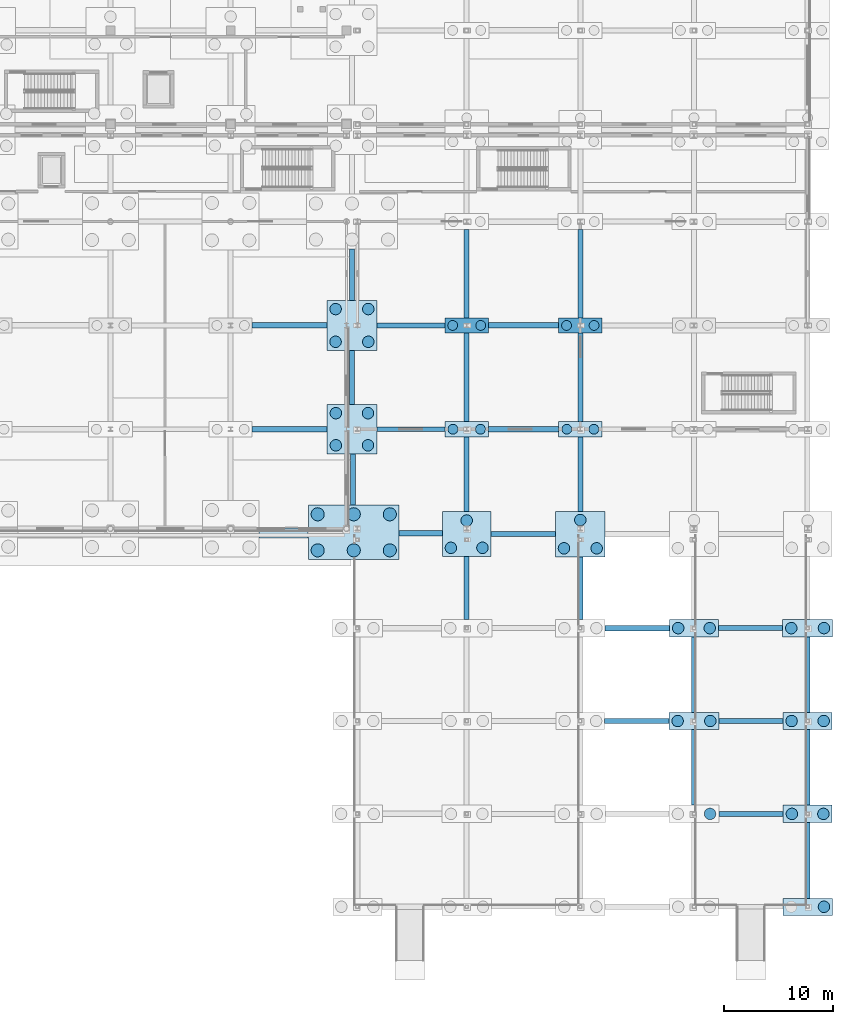
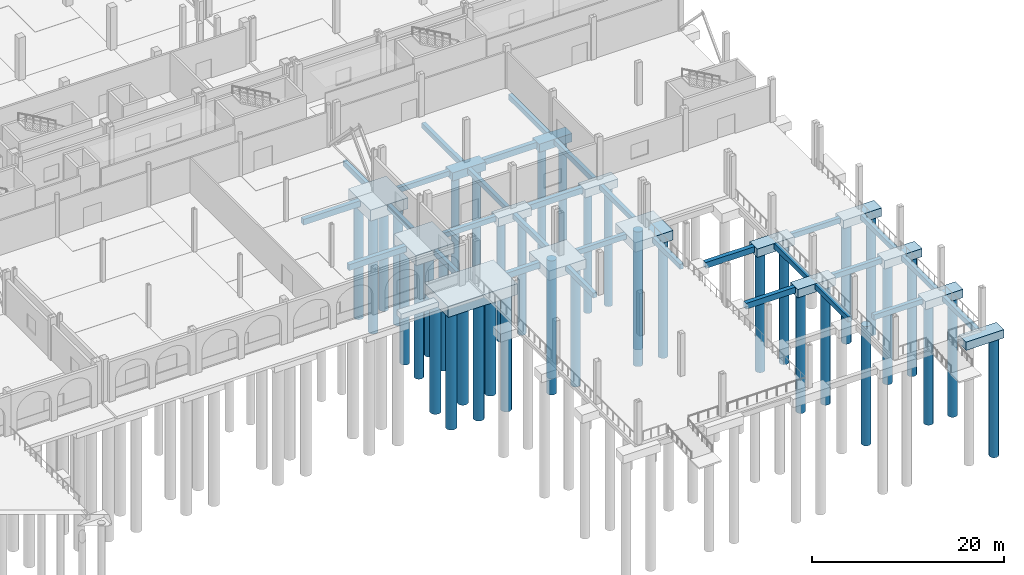
# One storey, part 11 of 83: 45 footings, 40 piles.
"""IFC4 building model written with IfcOpenShell, lengths in metres."""

from ifc_helpers import new_model, si_unit, direction, frame, origin, origin_2d, place, context, subcontext, project, spatial, polyline, circle, outline, extrude, material, material_profile, profile_set, type_object, element, save


model = new_model("IFC4")

# Units and contexts
model_context = context("Model", 3, precision=1e-05, world=origin(), true_north=direction((0.0, 1.0)))
body_context = subcontext(model_context, "Body", "Model", "MODEL_VIEW")
ifc_project = project(units=[si_unit("LENGTHUNIT", "METRE"), si_unit("AREAUNIT", "SQUARE_METRE"), si_unit("VOLUMEUNIT", "CUBIC_METRE"), si_unit("PLANEANGLEUNIT", "RADIAN"), si_unit("MASSUNIT", "GRAM", prefix="KILO")], contexts=[model_context])

# Site, building, storey
site_placement = place(None, origin())
site = spatial("IfcSite", under=ifc_project, at=site_placement, CompositionType="ELEMENT")
building_placement = place(site_placement, origin())
building = spatial("IfcBuilding", under=site, at=building_placement, Name="Caurita Quay Ferry Terminal", CompositionType="ELEMENT")
storey_placement = place(building_placement, origin())
storey = spatial("IfcBuildingStorey", under=building, at=storey_placement, Name="L00", CompositionType="ELEMENT", Elevation=0.0)

# Footings
ifc_material = material(Name="Marine reinforced concrete C40/50", Category="concrete")
footing_type_1 = type_object("IfcFootingType", Name="FTG-BM-01", PredefinedType="FOOTING_BEAM", material=ifc_material)
footing_1_placement = place(storey_placement, frame((0.0, 0.0, -1.14990234375)))
element("IfcFooting", 1, at=footing_1_placement, inside=storey, type_object=footing_type_1, Name="Seismic Tie Footing Beam FB-X-017", PredefinedType="FOOTING_BEAM", context=body_context, shape_type="SweptSolid", body=[
    extrude(outline(polyline([(155.425048828125, 16.75), (161.324951171875, 16.75), (161.324951171875, 17.25), (155.425048828125, 17.25), (155.425048828125, 16.75)])), origin(), (0.0, 0.0, 1.0), 0.75),
])
footing_2_placement = place(storey_placement, frame((0.0, 0.0, -1.14990234375)))
element("IfcFooting", 2, at=footing_2_placement, inside=storey, type_object=footing_type_1, Name="Seismic Tie Footing Beam FB-X-025", PredefinedType="FOOTING_BEAM", context=body_context, shape_type="SweptSolid", body=[
    extrude(outline(polyline([(155.47509765625, 25.25), (161.35009765625, 25.25), (161.35009765625, 25.75), (155.47509765625, 25.75), (155.47509765625, 25.25)])), origin(), (0.0, 0.0, 1.0), 0.75),
])
footing_3_placement = place(storey_placement, frame((0.0, 0.0, -1.14990234375)))
element("IfcFooting", 3, at=footing_3_placement, inside=storey, type_object=footing_type_1, Name="Seismic Tie Footing Beam FB-X-027", PredefinedType="FOOTING_BEAM", context=body_context, shape_type="SweptSolid", body=[
    extrude(outline(polyline([(136.616943359375, 33.93408203125), (140.574951171875, 33.93408203125), (140.574951171875, 34.43408203125), (136.616943359375, 34.43408203125), (136.616943359375, 33.93408203125)])), origin(), (0.0, 0.0, 1.0), 0.75),
])
footing_4_placement = place(storey_placement, frame((0.0, 0.0, -1.14990234375)))
element("IfcFooting", 4, at=footing_4_placement, inside=storey, type_object=footing_type_1, Name="Seismic Tie Footing Beam FB-X-053", PredefinedType="FOOTING_BEAM", context=body_context, shape_type="SweptSolid", body=[
    extrude(outline(polyline([(123.175048828125, 43.449951171875), (130.02490234375, 43.449951171875), (130.02490234375, 43.949951171875), (123.175048828125, 43.949951171875), (123.175048828125, 43.449951171875)])), origin(), (0.0, 0.0, 1.0), 0.75),
])
footing_5_placement = place(storey_placement, frame((0.0, 0.0, -1.14990234375)))
element("IfcFooting", 5, at=footing_5_placement, inside=storey, type_object=footing_type_1, Name="Seismic Tie Footing Beam FB-X-055", PredefinedType="FOOTING_BEAM", context=body_context, shape_type="SweptSolid", body=[
    extrude(outline(polyline([(144.800048828125, 43.449951171875), (151.22509765625, 43.449951171875), (151.22509765625, 43.949951171875), (144.800048828125, 43.949951171875), (144.800048828125, 43.449951171875)])), origin(), (0.0, 0.0, 1.0), 0.75),
])
footing_6_placement = place(storey_placement, frame((0.0, 0.0, -1.14990234375)))
element("IfcFooting", 6, at=footing_6_placement, inside=storey, type_object=footing_type_1, Name="Seismic Tie Footing Beam FB-X-069", PredefinedType="FOOTING_BEAM", context=body_context, shape_type="SweptSolid", body=[
    extrude(outline(polyline([(123.175048828125, 52.949951171875), (130.02490234375, 52.949951171875), (130.02490234375, 53.449951171875), (123.175048828125, 53.449951171875), (123.175048828125, 52.949951171875)])), origin(), (0.0, 0.0, 1.0), 0.75),
])
footing_7_placement = place(storey_placement, frame((0.0, 0.0, -1.14990234375)))
element("IfcFooting", 7, at=footing_7_placement, inside=storey, type_object=footing_type_1, Name="Seismic Tie Footing Beam FB-X-071", PredefinedType="FOOTING_BEAM", context=body_context, shape_type="SweptSolid", body=[
    extrude(outline(polyline([(144.800048828125, 52.949951171875), (151.22509765625, 52.949951171875), (151.22509765625, 53.449951171875), (144.800048828125, 53.449951171875), (144.800048828125, 52.949951171875)])), origin(), (0.0, 0.0, 1.0), 0.75),
])
footing_type_2 = type_object("IfcFootingType", Name="FTG-BM-02", PredefinedType="FOOTING_BEAM", material=ifc_material)
footing_8_placement = place(storey_placement, frame((0.0, 0.0, -1.050048828125)))
element("IfcFooting", 8, at=footing_8_placement, inside=storey, type_object=footing_type_2, Name="Seismic Tie Footing Beam FB-X-010", PredefinedType="FOOTING_BEAM", context=body_context, shape_type="SweptSolid", body=[
    extrude(outline(polyline([(165.875, 8.27490234375), (171.75, 8.27490234375), (171.75, 8.72509765625), (165.875, 8.72509765625), (165.875, 8.27490234375)])), origin(), (0.0, 0.0, 1.0), 0.650146484375),
])
footing_9_placement = place(storey_placement, frame((0.0, 0.0, -1.050048828125)))
element("IfcFooting", 9, at=footing_9_placement, inside=storey, type_object=footing_type_2, Name="Seismic Tie Footing Beam FB-X-018", PredefinedType="FOOTING_BEAM", context=body_context, shape_type="SweptSolid", body=[
    extrude(outline(polyline([(165.875, 16.77490234375), (171.75, 16.77490234375), (171.75, 17.22509765625), (165.875, 17.22509765625), (165.875, 16.77490234375)])), origin(), (0.0, 0.0, 1.0), 0.650146484375),
])
footing_10_placement = place(storey_placement, frame((0.0, 0.0, -1.050048828125)))
element("IfcFooting", 10, at=footing_10_placement, inside=storey, type_object=footing_type_2, Name="Seismic Tie Footing Beam FB-X-026", PredefinedType="FOOTING_BEAM", context=body_context, shape_type="SweptSolid", body=[
    extrude(outline(polyline([(165.85009765625, 25.27490234375), (171.699951171875, 25.27490234375), (171.699951171875, 25.72509765625), (165.85009765625, 25.72509765625), (165.85009765625, 25.27490234375)])), origin(), (0.0, 0.0, 1.0), 0.650146484375),
])
footing_11_placement = place(storey_placement, frame((0.0, 0.0, -1.050048828125)))
element("IfcFooting", 11, at=footing_11_placement, inside=storey, type_object=footing_type_2, Name="Seismic Tie Footing Beam FB-X-028", PredefinedType="FOOTING_BEAM", context=body_context, shape_type="SweptSolid", body=[
    extrude(outline(polyline([(145.02490234375, 33.875), (150.925048828125, 33.875), (150.925048828125, 34.324951171875), (145.02490234375, 34.324951171875), (145.02490234375, 33.875)])), origin(), (0.0, 0.0, 1.0), 0.650146484375),
])
footing_12_placement = place(storey_placement, frame((0.0, 0.0, -1.050048828125)))
element("IfcFooting", 12, at=footing_12_placement, inside=storey, type_object=footing_type_2, Name="Seismic Tie Footing Beam FB-X-054", PredefinedType="FOOTING_BEAM", context=body_context, shape_type="SweptSolid", body=[
    extrude(outline(polyline([(134.574951171875, 43.47509765625), (140.800048828125, 43.47509765625), (140.800048828125, 43.925048828125), (134.574951171875, 43.925048828125), (134.574951171875, 43.47509765625)])), origin(), (0.0, 0.0, 1.0), 0.650146484375),
])
footing_13_placement = place(storey_placement, frame((0.0, 0.0, -1.050048828125)))
element("IfcFooting", 13, at=footing_13_placement, inside=storey, type_object=footing_type_2, Name="Seismic Tie Footing Beam FB-X-070", PredefinedType="FOOTING_BEAM", context=body_context, shape_type="SweptSolid", body=[
    extrude(outline(polyline([(134.574951171875, 52.97509765625), (140.800048828125, 52.97509765625), (140.800048828125, 53.425048828125), (134.574951171875, 53.425048828125), (134.574951171875, 52.97509765625)])), origin(), (0.0, 0.0, 1.0), 0.650146484375),
])
footing_14_placement = place(storey_placement, frame((0.0, 0.0, -1.050048828125)))
element("IfcFooting", 14, at=footing_14_placement, inside=storey, type_object=footing_type_2, Name="Seismic Tie Footing Beam FB-Y-305", PredefinedType="FOOTING_BEAM", context=body_context, shape_type="SweptSolid", body=[
    extrude(outline(polyline([(132.158935546875, 36.76708984375), (132.60888671875, 36.76708984375), (132.60888671875, 41.425048828125), (132.158935546875, 41.425048828125), (132.158935546875, 36.76708984375)])), origin(), (0.0, 0.0, 1.0), 0.650146484375),
])
footing_15_placement = place(storey_placement, frame((0.0, 0.0, -1.050048828125)))
element("IfcFooting", 15, at=footing_15_placement, inside=storey, type_object=footing_type_2, Name="Seismic Tie Footing Beam FB-Y-306", PredefinedType="FOOTING_BEAM", context=body_context, shape_type="SweptSolid", body=[
    extrude(outline(polyline([(132.074951171875, 45.97509765625), (132.52490234375, 45.97509765625), (132.52490234375, 50.925048828125), (132.074951171875, 50.925048828125), (132.074951171875, 45.97509765625)])), origin(), (0.0, 0.0, 1.0), 0.650146484375),
])
footing_16_placement = place(storey_placement, frame((0.0, 0.0, -1.050048828125)))
element("IfcFooting", 16, at=footing_16_placement, inside=storey, type_object=footing_type_2, Name="Seismic Tie Footing Beam FB-Y-307", PredefinedType="FOOTING_BEAM", context=body_context, shape_type="SweptSolid", body=[
    extrude(outline(polyline([(132.074951171875, 55.47509765625), (132.52490234375, 55.47509765625), (132.52490234375, 60.175048828125), (132.074951171875, 60.175048828125), (132.074951171875, 55.47509765625)])), origin(), (0.0, 0.0, 1.0), 0.650146484375),
])
footing_17_placement = place(storey_placement, frame((0.0, 0.0, -1.050048828125)))
element("IfcFooting", 17, at=footing_17_placement, inside=storey, type_object=footing_type_2, Name="Seismic Tie Footing Beam FB-Y-320", PredefinedType="FOOTING_BEAM", context=body_context, shape_type="SweptSolid", body=[
    extrude(outline(polyline([(142.574951171875, 26.300048828125), (143.02490234375, 26.300048828125), (143.02490234375, 32.050048828125), (142.574951171875, 32.050048828125), (142.574951171875, 26.300048828125)])), origin(), (0.0, 0.0, 1.0), 0.650146484375),
])
footing_18_placement = place(storey_placement, frame((0.0, 0.0, -1.050048828125)))
element("IfcFooting", 18, at=footing_18_placement, inside=storey, type_object=footing_type_2, Name="Seismic Tie Footing Beam FB-Y-321", PredefinedType="FOOTING_BEAM", context=body_context, shape_type="SweptSolid", body=[
    extrude(outline(polyline([(142.574951171875, 36.14990234375), (143.02490234375, 36.14990234375), (143.02490234375, 42.97509765625), (142.574951171875, 42.97509765625), (142.574951171875, 36.14990234375)])), origin(), (0.0, 0.0, 1.0), 0.650146484375),
])
footing_19_placement = place(storey_placement, frame((0.0, 0.0, -1.050048828125)))
element("IfcFooting", 19, at=footing_19_placement, inside=storey, type_object=footing_type_2, Name="Seismic Tie Footing Beam FB-Y-322", PredefinedType="FOOTING_BEAM", context=body_context, shape_type="SweptSolid", body=[
    extrude(outline(polyline([(142.574951171875, 44.425048828125), (143.02490234375, 44.425048828125), (143.02490234375, 52.5), (142.574951171875, 52.5), (142.574951171875, 44.425048828125)])), origin(), (0.0, 0.0, 1.0), 0.650146484375),
])
footing_20_placement = place(storey_placement, frame((0.0, 0.0, -1.050048828125)))
element("IfcFooting", 20, at=footing_20_placement, inside=storey, type_object=footing_type_2, Name="Seismic Tie Footing Beam FB-Y-323", PredefinedType="FOOTING_BEAM", context=body_context, shape_type="SweptSolid", body=[
    extrude(outline(polyline([(142.574951171875, 53.89990234375), (143.02490234375, 53.89990234375), (143.02490234375, 61.97509765625), (142.574951171875, 61.97509765625), (142.574951171875, 53.89990234375)])), origin(), (0.0, 0.0, 1.0), 0.650146484375),
])
footing_21_placement = place(storey_placement, frame((0.0, 0.0, -1.050048828125)))
element("IfcFooting", 21, at=footing_21_placement, inside=storey, type_object=footing_type_2, Name="Seismic Tie Footing Beam FB-Y-333", PredefinedType="FOOTING_BEAM", context=body_context, shape_type="SweptSolid", body=[
    extrude(outline(polyline([(152.97509765625, 26.300048828125), (153.425048828125, 26.300048828125), (153.425048828125, 32.02490234375), (152.97509765625, 32.02490234375), (152.97509765625, 26.300048828125)])), origin(), (0.0, 0.0, 1.0), 0.650146484375),
])
footing_22_placement = place(storey_placement, frame((0.0, 0.0, -1.050048828125)))
element("IfcFooting", 22, at=footing_22_placement, inside=storey, type_object=footing_type_2, Name="Seismic Tie Footing Beam FB-Y-334", PredefinedType="FOOTING_BEAM", context=body_context, shape_type="SweptSolid", body=[
    extrude(outline(polyline([(152.97509765625, 36.175048828125), (153.425048828125, 36.175048828125), (153.425048828125, 42.97509765625), (152.97509765625, 42.97509765625), (152.97509765625, 36.175048828125)])), origin(), (0.0, 0.0, 1.0), 0.650146484375),
])
footing_23_placement = place(storey_placement, frame((0.0, 0.0, -1.050048828125)))
element("IfcFooting", 23, at=footing_23_placement, inside=storey, type_object=footing_type_2, Name="Seismic Tie Footing Beam FB-Y-335", PredefinedType="FOOTING_BEAM", context=body_context, shape_type="SweptSolid", body=[
    extrude(outline(polyline([(152.97509765625, 44.425048828125), (153.425048828125, 44.425048828125), (153.425048828125, 52.5), (152.97509765625, 52.5), (152.97509765625, 44.425048828125)])), origin(), (0.0, 0.0, 1.0), 0.650146484375),
])
footing_24_placement = place(storey_placement, frame((0.0, 0.0, -1.050048828125)))
element("IfcFooting", 24, at=footing_24_placement, inside=storey, type_object=footing_type_2, Name="Seismic Tie Footing Beam FB-Y-336", PredefinedType="FOOTING_BEAM", context=body_context, shape_type="SweptSolid", body=[
    extrude(outline(polyline([(152.97509765625, 53.89990234375), (153.425048828125, 53.89990234375), (153.425048828125, 61.97509765625), (152.97509765625, 61.97509765625), (152.97509765625, 53.89990234375)])), origin(), (0.0, 0.0, 1.0), 0.650146484375),
])
footing_25_placement = place(storey_placement, frame((0.0, 0.0, -1.050048828125)))
element("IfcFooting", 25, at=footing_25_placement, inside=storey, type_object=footing_type_2, Name="Seismic Tie Footing Beam FB-Y-344", PredefinedType="FOOTING_BEAM", context=body_context, shape_type="SweptSolid", body=[
    extrude(outline(polyline([(163.375, 9.300048828125), (163.824951171875, 9.300048828125), (163.824951171875, 16.22509765625), (163.375, 16.22509765625), (163.375, 9.300048828125)])), origin(), (0.0, 0.0, 1.0), 0.650146484375),
])
footing_26_placement = place(storey_placement, frame((0.0, 0.0, -1.050048828125)))
element("IfcFooting", 26, at=footing_26_placement, inside=storey, type_object=footing_type_2, Name="Seismic Tie Footing Beam FB-Y-345", PredefinedType="FOOTING_BEAM", context=body_context, shape_type="SweptSolid", body=[
    extrude(outline(polyline([(163.375, 17.77490234375), (163.824951171875, 17.77490234375), (163.824951171875, 24.699951171875), (163.375, 24.699951171875), (163.375, 17.77490234375)])), origin(), (0.0, 0.0, 1.0), 0.650146484375),
])
footing_27_placement = place(storey_placement, frame((0.0, 0.0, -1.050048828125)))
element("IfcFooting", 27, at=footing_27_placement, inside=storey, type_object=footing_type_2, Name="Seismic Tie Footing Beam FB-Y-356", PredefinedType="FOOTING_BEAM", context=body_context, shape_type="SweptSolid", body=[
    extrude(outline(polyline([(173.77490234375, 0.77490234375), (174.22509765625, 0.77490234375), (174.22509765625, 7.699951171875), (173.77490234375, 7.699951171875), (173.77490234375, 0.77490234375)])), origin(), (0.0, 0.0, 1.0), 0.650146484375),
])
footing_28_placement = place(storey_placement, frame((0.0, 0.0, -1.050048828125)))
element("IfcFooting", 28, at=footing_28_placement, inside=storey, type_object=footing_type_2, Name="Seismic Tie Footing Beam FB-Y-357", PredefinedType="FOOTING_BEAM", context=body_context, shape_type="SweptSolid", body=[
    extrude(outline(polyline([(173.77490234375, 9.300048828125), (174.22509765625, 9.300048828125), (174.22509765625, 16.22509765625), (173.77490234375, 16.22509765625), (173.77490234375, 9.300048828125)])), origin(), (0.0, 0.0, 1.0), 0.650146484375),
])
footing_29_placement = place(storey_placement, frame((0.0, 0.0, -1.050048828125)))
element("IfcFooting", 29, at=footing_29_placement, inside=storey, type_object=footing_type_2, Name="Seismic Tie Footing Beam FB-Y-358", PredefinedType="FOOTING_BEAM", context=body_context, shape_type="SweptSolid", body=[
    extrude(outline(polyline([(173.77490234375, 17.77490234375), (174.22509765625, 17.77490234375), (174.22509765625, 24.699951171875), (173.77490234375, 24.699951171875), (173.77490234375, 17.77490234375)])), origin(), (0.0, 0.0, 1.0), 0.650146484375),
])
footing_type_3 = type_object("IfcFootingType", Name="FTG-PC-03", PredefinedType="PILE_CAP", material=ifc_material)
footing_30_placement = place(storey_placement, frame((0.0, 0.0, -1.60009765625)))
element("IfcFooting", 30, at=footing_30_placement, inside=storey, type_object=footing_type_3, Name="Pile Cap PC-147", PredefinedType="PILE_CAP", context=body_context, shape_type="SweptSolid", body=[
    extrude(outline(polyline([(150.925048828125, 32.02490234375), (155.47509765625, 32.02490234375), (155.47509765625, 36.175048828125), (150.925048828125, 36.175048828125), (150.925048828125, 32.02490234375)])), origin(), (0.0, 0.0, 1.0), 1.2001953125),
])
footing_type_4 = type_object("IfcFootingType", Name="FTG-PC-08", PredefinedType="PILE_CAP", material=ifc_material)
footing_31_placement = place(storey_placement, frame((0.0, 0.0, -1.699951171875)))
element("IfcFooting", 31, at=footing_31_placement, inside=storey, type_object=footing_type_4, Name="Pile Cap PC-116", PredefinedType="PILE_CAP", context=body_context, shape_type="SweptSolid", body=[
    extrude(outline(polyline([(130.02490234375, 41.425048828125), (134.574951171875, 41.425048828125), (134.574951171875, 45.97509765625), (130.02490234375, 45.97509765625), (130.02490234375, 41.425048828125)])), origin(), (0.0, 0.0, 1.0), 1.300048828125),
])
footing_type_5 = type_object("IfcFootingType", Name="FTG-PC-09", PredefinedType="PILE_CAP", material=ifc_material)
footing_32_placement = place(storey_placement, frame((0.0, 0.0, -1.800048828125)))
element("IfcFooting", 32, at=footing_32_placement, inside=storey, type_object=footing_type_5, Name="Pile Cap PC-117", PredefinedType="PILE_CAP", context=body_context, shape_type="SweptSolid", body=[
    extrude(outline(polyline([(130.02490234375, 50.925048828125), (134.574951171875, 50.925048828125), (134.574951171875, 55.47509765625), (130.02490234375, 55.47509765625), (130.02490234375, 50.925048828125)])), origin(), (0.0, 0.0, 1.0), 1.400146484375),
])
footing_type_6 = type_object("IfcFootingType", Name="FTG-PC-18", PredefinedType="PILE_CAP", material=ifc_material)
footing_33_placement = place(storey_placement, frame((0.0, 0.0, -1.449951171875)))
element("IfcFooting", 33, at=footing_33_placement, inside=storey, type_object=footing_type_6, Name="Pile Cap PC-148", PredefinedType="PILE_CAP", context=body_context, shape_type="SweptSolid", body=[
    extrude(outline(polyline([(151.22509765625, 42.97509765625), (155.175048828125, 42.97509765625), (155.175048828125, 44.425048828125), (151.22509765625, 44.425048828125), (151.22509765625, 42.97509765625)])), origin(), (0.0, 0.0, 1.0), 1.050048828125),
])
footing_type_7 = type_object("IfcFootingType", Name="FTG-PC-19", PredefinedType="PILE_CAP", material=ifc_material)
footing_34_placement = place(storey_placement, frame((0.0, 0.0, -1.449951171875)))
element("IfcFooting", 34, at=footing_34_placement, inside=storey, type_object=footing_type_7, Name="Pile Cap PC-149", PredefinedType="PILE_CAP", context=body_context, shape_type="SweptSolid", body=[
    extrude(outline(polyline([(151.22509765625, 52.5), (155.175048828125, 52.5), (155.175048828125, 53.89990234375), (151.22509765625, 53.89990234375), (151.22509765625, 52.5)])), origin(), (0.0, 0.0, 1.0), 1.050048828125),
])
footing_type_8 = type_object("IfcFootingType", Name="FTG-PC-22", PredefinedType="PILE_CAP", material=ifc_material)
footing_35_placement = place(storey_placement, frame((0.0, 0.0, -1.449951171875)))
element("IfcFooting", 35, at=footing_35_placement, inside=storey, type_object=footing_type_8, Name="Pile Cap PC-134", PredefinedType="PILE_CAP", context=body_context, shape_type="SweptSolid", body=[
    extrude(outline(polyline([(140.800048828125, 42.97509765625), (144.800048828125, 42.97509765625), (144.800048828125, 44.425048828125), (140.800048828125, 44.425048828125), (140.800048828125, 42.97509765625)])), origin(), (0.0, 0.0, 1.0), 1.050048828125),
])
footing_type_9 = type_object("IfcFootingType", Name="FTG-PC-23", PredefinedType="PILE_CAP", material=ifc_material)
footing_36_placement = place(storey_placement, frame((0.0, 0.0, -1.449951171875)))
element("IfcFooting", 36, at=footing_36_placement, inside=storey, type_object=footing_type_9, Name="Pile Cap PC-135", PredefinedType="PILE_CAP", context=body_context, shape_type="SweptSolid", body=[
    extrude(outline(polyline([(140.800048828125, 52.5), (144.800048828125, 52.5), (144.800048828125, 53.89990234375), (140.800048828125, 53.89990234375), (140.800048828125, 52.5)])), origin(), (0.0, 0.0, 1.0), 1.050048828125),
])
footing_type_10 = type_object("IfcFootingType", Name="FTG-PC-24", PredefinedType="PILE_CAP", material=ifc_material)
footing_37_placement = place(storey_placement, frame((0.0, 0.0, -1.60009765625)))
element("IfcFooting", 37, at=footing_37_placement, inside=storey, type_object=footing_type_10, Name="Pile Cap PC-133", PredefinedType="PILE_CAP", context=body_context, shape_type="SweptSolid", body=[
    extrude(outline(polyline([(140.574951171875, 32.050048828125), (145.02490234375, 32.050048828125), (145.02490234375, 36.14990234375), (140.574951171875, 36.14990234375), (140.574951171875, 32.050048828125)])), origin(), (0.0, 0.0, 1.0), 1.2001953125),
])
footing_type_11 = type_object("IfcFootingType", Name="FTG-PC-30", PredefinedType="PILE_CAP", material=ifc_material)
footing_38_placement = place(storey_placement, frame((0.0, 0.0, -1.800048828125)))
element("IfcFooting", 38, at=footing_38_placement, inside=storey, type_object=footing_type_11, Name="Pile Cap PC-115", PredefinedType="PILE_CAP", context=body_context, shape_type="SweptSolid", body=[
    extrude(outline(polyline([(128.31689453125, 31.76708984375), (136.616943359375, 31.76708984375), (136.616943359375, 36.76708984375), (128.31689453125, 36.76708984375), (128.31689453125, 31.76708984375)])), origin(), (0.0, 0.0, 1.0), 1.400146484375),
])
footing_type_12 = type_object("IfcFootingType", Name="FTG-PC-32", PredefinedType="PILE_CAP", material=ifc_material)
footing_39_placement = place(storey_placement, frame((0.0, 0.0, -1.449951171875)))
element("IfcFooting", 39, at=footing_39_placement, inside=storey, type_object=footing_type_12, Name="Pile Cap PC-173", PredefinedType="PILE_CAP", context=body_context, shape_type="SweptSolid", body=[
    extrude(outline(polyline([(171.75, 16.22509765625), (176.25, 16.22509765625), (176.25, 17.77490234375), (171.75, 17.77490234375), (171.75, 16.22509765625)])), origin(), (0.0, 0.0, 1.0), 1.050048828125),
])
footing_type_13 = type_object("IfcFootingType", Name="FTG-PC-33", PredefinedType="PILE_CAP", material=ifc_material)
footing_40_placement = place(storey_placement, frame((0.0, 0.0, -1.449951171875)))
element("IfcFooting", 40, at=footing_40_placement, inside=storey, type_object=footing_type_13, Name="Pile Cap PC-174", PredefinedType="PILE_CAP", context=body_context, shape_type="SweptSolid", body=[
    extrude(outline(polyline([(171.699951171875, 24.699951171875), (176.300048828125, 24.699951171875), (176.300048828125, 26.300048828125), (171.699951171875, 26.300048828125), (171.699951171875, 24.699951171875)])), origin(), (0.0, 0.0, 1.0), 1.050048828125),
])
footing_type_14 = type_object("IfcFootingType", Name="FTG-PC-36", PredefinedType="PILE_CAP", material=ifc_material)
footing_41_placement = place(storey_placement, frame((0.0, 0.0, -1.449951171875)))
element("IfcFooting", 41, at=footing_41_placement, inside=storey, type_object=footing_type_14, Name="Pile Cap PC-159", PredefinedType="PILE_CAP", context=body_context, shape_type="SweptSolid", body=[
    extrude(outline(polyline([(161.324951171875, 16.22509765625), (165.875, 16.22509765625), (165.875, 17.77490234375), (161.324951171875, 17.77490234375), (161.324951171875, 16.22509765625)])), origin(), (0.0, 0.0, 1.0), 1.050048828125),
])
footing_42_placement = place(storey_placement, frame((0.0, 0.0, -1.449951171875)))
element("IfcFooting", 42, at=footing_42_placement, inside=storey, type_object=footing_type_14, Name="Pile Cap PC-171", PredefinedType="PILE_CAP", context=body_context, shape_type="SweptSolid", body=[
    extrude(outline(polyline([(171.72509765625, -0.77490234375), (176.27490234375, -0.77490234375), (176.27490234375, 0.77490234375), (171.72509765625, 0.77490234375), (171.72509765625, -0.77490234375)])), origin(), (0.0, 0.0, 1.0), 1.050048828125),
])
footing_type_15 = type_object("IfcFootingType", Name="FTG-PC-37", PredefinedType="PILE_CAP", material=ifc_material)
footing_43_placement = place(storey_placement, frame((0.0, 0.0, -1.449951171875)))
element("IfcFooting", 43, at=footing_43_placement, inside=storey, type_object=footing_type_15, Name="Pile Cap PC-160", PredefinedType="PILE_CAP", context=body_context, shape_type="SweptSolid", body=[
    extrude(outline(polyline([(161.35009765625, 24.699951171875), (165.85009765625, 24.699951171875), (165.85009765625, 26.300048828125), (161.35009765625, 26.300048828125), (161.35009765625, 24.699951171875)])), origin(), (0.0, 0.0, 1.0), 1.050048828125),
])
footing_44_placement = place(storey_placement, frame((0.0, 0.0, -1.449951171875)))
element("IfcFooting", 44, at=footing_44_placement, inside=storey, type_object=footing_type_15, Name="Pile Cap PC-172", PredefinedType="PILE_CAP", context=body_context, shape_type="SweptSolid", body=[
    extrude(outline(polyline([(171.75, 7.699951171875), (176.25, 7.699951171875), (176.25, 9.300048828125), (171.75, 9.300048828125), (171.75, 7.699951171875)])), origin(), (0.0, 0.0, 1.0), 1.050048828125),
])
footing_type_16 = type_object("IfcFootingType", Name="FTG-STR-01", PredefinedType="STRIP_FOOTING", material=ifc_material)
footing_45_placement = place(storey_placement, frame((0.0, 0.0, -1.64990234375)))
element("IfcFooting", 45, at=footing_45_placement, inside=storey, type_object=footing_type_16, Name="Marine Seawall Strip Footing SF-10", PredefinedType="STRIP_FOOTING", context=body_context, shape_type="SweptSolid", body=[
    extrude(outline(polyline([(123.81494140625, 33.75), (128.277099609375, 33.75), (128.277099609375, 34.64990234375), (123.81494140625, 34.64990234375), (123.81494140625, 33.75)])), origin(), (0.0, 0.0, 1.0), 0.64990234375),
])

# Piles
ifc_material_profile_1 = material_profile(ifc_material, circle(Radius=0.52490234375, at=origin_2d()), Name="PILE-D1050")
ifc_profile_set_1 = profile_set([ifc_material_profile_1], Name="Marine reinforced concrete C40/50")
pile_type_1 = type_object("IfcPileType", Name="TYPE-PL-1050", PredefinedType="BORED", material=ifc_profile_set_1)
for number, where, z_axis, x_axis, name in (
    (46, (130.830078125, 42.22998046875, -1.60009765625), (0.0, 0.0, -1.0), (1.0, 0.0, 0.0), "Bored Marine Pile PC-116-P1"),
    (47, (133.77001953125, 42.22998046875, -1.60009765625), (0.0, 0.0, -1.0), (1.0, 0.0, 0.0), "Bored Marine Pile PC-116-P2"),
    (48, (130.830078125, 45.169921875, -1.60009765625), (0.0, 0.0, -1.0), (1.0, 0.0, 0.0), "Bored Marine Pile PC-116-P3"),
    (49, (133.77001953125, 45.169921875, -1.60009765625), (0.0, 0.0, -1.0), (1.0, 0.0, 0.0), "Bored Marine Pile PC-116-P4"),
):
    element("IfcPile", number, at=place(storey_placement, frame(where, z_axis=z_axis, x_axis=x_axis)), inside=storey, type_object=pile_type_1, Name=name, PredefinedType="BORED", context=body_context, shape_type="SweptSolid", body=[
        extrude(circle(Radius=0.52490234375, at=origin_2d()), origin(), (0.0, 0.0, 1.0), 14.89990234375),
    ])
for number, where, z_axis, x_axis, name in (
    (50, (130.803955078125, 51.7041015625, -1.699951171875), (0.0, 0.0, -1.0), (1.0, 0.0, 0.0), "Bored Marine Pile PC-117-P1"),
    (51, (133.797119140625, 51.7041015625, -1.699951171875), (0.0, 0.0, -1.0), (1.0, 0.0, 0.0), "Bored Marine Pile PC-117-P2"),
    (52, (130.803955078125, 54.697021484375, -1.699951171875), (0.0, 0.0, -1.0), (1.0, 0.0, 0.0), "Bored Marine Pile PC-117-P3"),
    (53, (133.797119140625, 54.697021484375, -1.699951171875), (0.0, 0.0, -1.0), (1.0, 0.0, 0.0), "Bored Marine Pile PC-117-P4"),
):
    element("IfcPile", number, at=place(storey_placement, frame(where, z_axis=z_axis, x_axis=x_axis)), inside=storey, type_object=pile_type_1, Name=name, PredefinedType="BORED", context=body_context, shape_type="SweptSolid", body=[
        extrude(circle(Radius=0.52490234375, at=origin_2d()), origin(), (0.0, 0.0, 1.0), 14.800048828125),
    ])
for number, where, z_axis, x_axis, name in (
    (54, (141.35595703125, 32.84912109375, -1.5), (0.0, 0.0, -1.0), (1.0, 0.0, 0.0), "Bored Marine Pile PC-133-P1"),
    (55, (144.243896484375, 32.84912109375, -1.5), (0.0, 0.0, -1.0), (1.0, 0.0, 0.0), "Bored Marine Pile PC-133-P2"),
    (56, (142.800048828125, 35.35107421875, -1.5), (0.0, 0.0, -1.0), (1.0, 0.0, 0.0), "Bored Marine Pile PC-133-P3"),
    (57, (151.702880859375, 32.803955078125, -1.5), (0.0, 0.0, -1.0), (1.0, 0.0, 0.0), "Bored Marine Pile PC-147-P1"),
    (58, (154.696044921875, 32.803955078125, -1.5), (0.0, 0.0, -1.0), (1.0, 0.0, 0.0), "Bored Marine Pile PC-147-P2"),
    (59, (153.199951171875, 35.39599609375, -1.5), (0.0, 0.0, -1.0), (1.0, 0.0, 0.0), "Bored Marine Pile PC-147-P3"),
):
    element("IfcPile", number, at=place(storey_placement, frame(where, z_axis=z_axis, x_axis=x_axis)), inside=storey, type_object=pile_type_1, Name=name, PredefinedType="BORED", context=body_context, shape_type="SweptSolid", body=[
        extrude(circle(Radius=0.52490234375, at=origin_2d()), origin(), (0.0, 0.0, 1.0), 15.0),
    ])
for number, where, z_axis, x_axis, name in (
    (60, (165.070068359375, 8.5, -1.35009765625), (0.0, 0.0, -1.0), (1.0, 0.0, 0.0), "Bored Marine Pile PC-158-P2"),
    (61, (162.10302734375, 17.0, -1.35009765625), (0.0, 0.0, -1.0), (1.0, 0.0, 0.0), "Bored Marine Pile PC-159-P1"),
    (62, (165.095947265625, 17.0, -1.35009765625), (0.0, 0.0, -1.0), (1.0, 0.0, 0.0), "Bored Marine Pile PC-159-P2"),
    (63, (162.156005859375, 25.5, -1.35009765625), (0.0, 0.0, -1.0), (1.0, 0.0, 0.0), "Bored Marine Pile PC-160-P1"),
    (64, (165.0439453125, 25.5, -1.35009765625), (0.0, 0.0, -1.0), (1.0, 0.0, 0.0), "Bored Marine Pile PC-160-P2"),
    (65, (175.49609375, 0.0, -1.35009765625), (0.0, 0.0, -1.0), (1.0, 0.0, 0.0), "Bored Marine Pile PC-171-P2"),
    (66, (172.555908203125, 8.5, -1.35009765625), (0.0, 0.0, -1.0), (1.0, 0.0, 0.0), "Bored Marine Pile PC-172-P1"),
    (67, (175.444091796875, 8.5, -1.35009765625), (0.0, 0.0, -1.0), (1.0, 0.0, 0.0), "Bored Marine Pile PC-172-P2"),
    (68, (172.530029296875, 17.0, -1.35009765625), (0.0, 0.0, -1.0), (1.0, 0.0, 0.0), "Bored Marine Pile PC-173-P1"),
    (69, (175.469970703125, 17.0, -1.35009765625), (0.0, 0.0, -1.0), (1.0, 0.0, 0.0), "Bored Marine Pile PC-173-P2"),
    (70, (172.50390625, 25.5, -1.35009765625), (0.0, 0.0, -1.0), (1.0, 0.0, 0.0), "Bored Marine Pile PC-174-P1"),
    (71, (175.49609375, 25.5, -1.35009765625), (0.0, 0.0, -1.0), (1.0, 0.0, 0.0), "Bored Marine Pile PC-174-P2"),
):
    element("IfcPile", number, at=place(storey_placement, frame(where, z_axis=z_axis, x_axis=x_axis)), inside=storey, type_object=pile_type_1, Name=name, PredefinedType="BORED", context=body_context, shape_type="SweptSolid", body=[
        extrude(circle(Radius=0.52490234375, at=origin_2d()), origin(), (0.0, 0.0, 1.0), 15.14990234375),
    ])
ifc_material_profile_2 = material_profile(ifc_material, circle(Radius=0.60009765625, at=origin_2d()), Name="PILE-D1200")
ifc_profile_set_2 = profile_set([ifc_material_profile_2], Name="Marine reinforced concrete C40/50")
pile_type_2 = type_object("IfcPileType", Name="TYPE-PL-1200", PredefinedType="BORED", material=ifc_profile_set_2)
for number, where, z_axis, x_axis, name in (
    (72, (129.1669921875, 32.616943359375, -1.699951171875), (0.0, 0.0, -1.0), (1.0, 0.0, 0.0), "Bored Marine Pile PC-115-P1"),
    (73, (132.467041015625, 32.616943359375, -1.699951171875), (0.0, 0.0, -1.0), (1.0, 0.0, 0.0), "Bored Marine Pile PC-115-P2"),
    (74, (135.76708984375, 32.616943359375, -1.699951171875), (0.0, 0.0, -1.0), (1.0, 0.0, 0.0), "Bored Marine Pile PC-115-P3"),
    (75, (129.1669921875, 35.9169921875, -1.699951171875), (0.0, 0.0, -1.0), (1.0, 0.0, 0.0), "Bored Marine Pile PC-115-P4"),
    (76, (132.467041015625, 35.9169921875, -1.699951171875), (0.0, 0.0, -1.0), (1.0, 0.0, 0.0), "Bored Marine Pile PC-115-P5"),
    (77, (135.76708984375, 35.9169921875, -1.699951171875), (0.0, 0.0, -1.0), (1.0, 0.0, 0.0), "Bored Marine Pile PC-115-P6"),
):
    element("IfcPile", number, at=place(storey_placement, frame(where, z_axis=z_axis, x_axis=x_axis)), inside=storey, type_object=pile_type_2, Name=name, PredefinedType="BORED", context=body_context, shape_type="SweptSolid", body=[
        extrude(circle(Radius=0.60009765625, at=origin_2d()), origin(), (0.0, 0.0, 1.0), 14.800048828125),
    ])
ifc_material_profile_3 = material_profile(ifc_material, circle(Radius=0.449951171875, at=origin_2d()), Name="PILE-D900")
ifc_profile_set_3 = profile_set([ifc_material_profile_3], Name="Marine reinforced concrete C40/50")
pile_type_3 = type_object("IfcPileType", Name="TYPE-PL-900", PredefinedType="BORED", material=ifc_profile_set_3)
for number, where, z_axis, x_axis, name in (
    (78, (141.5400390625, 43.699951171875, -1.35009765625), (0.0, 0.0, -1.0), (1.0, 0.0, 0.0), "Bored Marine Pile PC-134-P1"),
    (79, (144.06005859375, 43.699951171875, -1.35009765625), (0.0, 0.0, -1.0), (1.0, 0.0, 0.0), "Bored Marine Pile PC-134-P2"),
    (80, (141.51806640625, 53.199951171875, -1.35009765625), (0.0, 0.0, -1.0), (1.0, 0.0, 0.0), "Bored Marine Pile PC-135-P1"),
    (81, (144.0830078125, 53.199951171875, -1.35009765625), (0.0, 0.0, -1.0), (1.0, 0.0, 0.0), "Bored Marine Pile PC-135-P2"),
    (82, (151.9619140625, 43.699951171875, -1.35009765625), (0.0, 0.0, -1.0), (1.0, 0.0, 0.0), "Bored Marine Pile PC-148-P1"),
    (83, (154.43798828125, 43.699951171875, -1.35009765625), (0.0, 0.0, -1.0), (1.0, 0.0, 0.0), "Bored Marine Pile PC-148-P2"),
    (84, (151.93994140625, 53.199951171875, -1.35009765625), (0.0, 0.0, -1.0), (1.0, 0.0, 0.0), "Bored Marine Pile PC-149-P1"),
    (85, (154.4599609375, 53.199951171875, -1.35009765625), (0.0, 0.0, -1.0), (1.0, 0.0, 0.0), "Bored Marine Pile PC-149-P2"),
):
    element("IfcPile", number, at=place(storey_placement, frame(where, z_axis=z_axis, x_axis=x_axis)), inside=storey, type_object=pile_type_3, Name=name, PredefinedType="BORED", context=body_context, shape_type="SweptSolid", body=[
        extrude(circle(Radius=0.449951171875, at=origin_2d()), origin(), (0.0, 0.0, 1.0), 15.14990234375),
    ])

save(model, "model.ifc")
